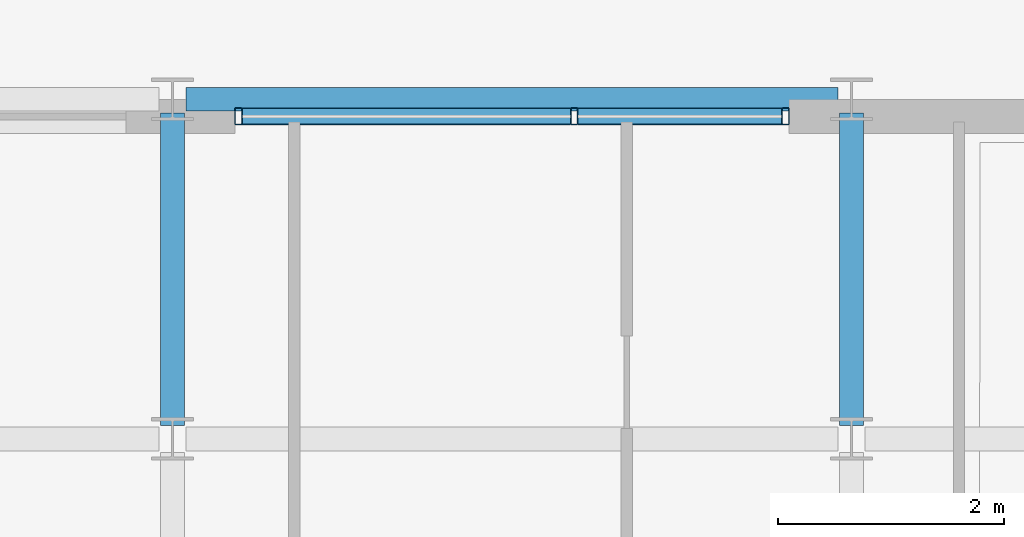
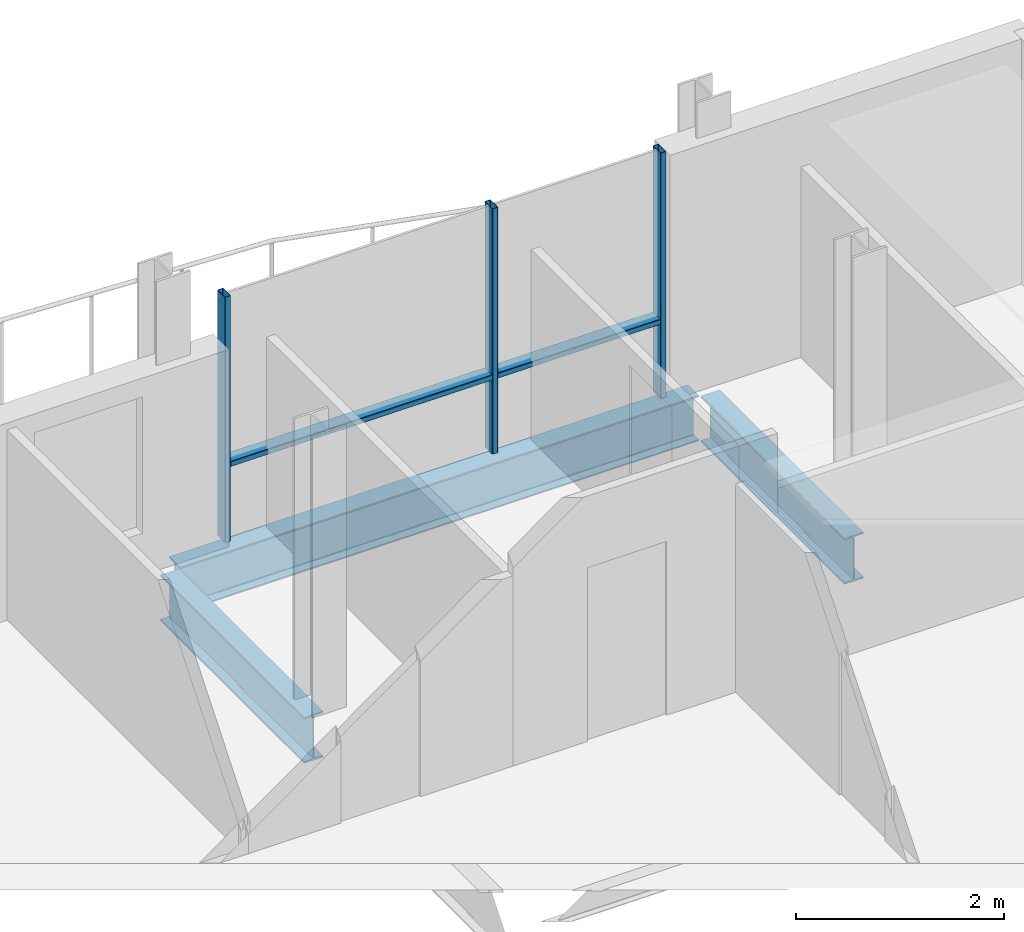
# One storey, part 14 of 30: 5 members, 3 beams, 1 element without a shape of its own.
"""IFC4 building model written with IfcOpenShell, lengths in metres."""

import ifcopenshell
import ifcopenshell.guid

model = None  # the IFC model being written
_history = None  # IfcOwnerHistory: only IFC2X3 demands one
_inside = {}  # id of a spatial element -> (the spatial element, [elements in it])
_under = {}  # id of a project, library or spatial element -> (it, [spatial elements below it])
_declared = {}  # id of a project -> (the project, [libraries it declares])
_typed = {}  # id of a type object -> (the type object, [elements of that type])
_made_of = {}  # id of a material, layer set ... -> (it, [elements and type objects made of it])


def new_model(schema):
    """Start an empty IFC model of exactly this schema.

    Asked for "IFC4X3", IfcOpenShell would pick the latest addendum, in which some entities
    have other attributes; the version numbers below select the first issue.
    IFC2X3 requires an IfcOwnerHistory on every rooted entity: one is made here for all.
    """
    global model, _history
    if schema == "IFC4X3":
        model = ifcopenshell.file(schema_version=(4, 3, 0, 0))
    else:
        model = ifcopenshell.file(schema=schema)
    _inside.clear()
    _under.clear()
    _declared.clear()
    _typed.clear()
    _made_of.clear()
    _history = None
    if model.schema == "IFC2X3":
        org = make("IfcOrganization", Name="unknown")
        user = make(
            "IfcPersonAndOrganization",
            ThePerson=make("IfcPerson", FamilyName="unknown"),
            TheOrganization=org,
        )
        app = make(
            "IfcApplication",
            ApplicationDeveloper=org,
            Version="unknown",
            ApplicationFullName="unknown",
            ApplicationIdentifier="unknown",
        )
        _history = make(
            "IfcOwnerHistory",
            OwningUser=user,
            OwningApplication=app,
            ChangeAction="ADDED",
            CreationDate=0,
        )
    return model


def make(cls, **values):
    """One entity of the class cls with the attributes given. An attribute that is None is left unset."""
    return model.create_entity(
        cls, **{name: value for name, value in values.items() if value is not None}
    )


def rooted(cls, **values):
    """An entity with a GlobalId (a new one), such as an element, a storey or a relation."""
    return make(cls, GlobalId=ifcopenshell.guid.new(), OwnerHistory=_history, **values)


def si_unit(unit_type, name, prefix=None):
    """IfcSIUnit, for example si_unit("LENGTHUNIT", "METRE", prefix="MILLI")."""
    return make("IfcSIUnit", UnitType=unit_type, Prefix=prefix, Name=name)


def assignment(units):
    """IfcUnitAssignment: the units of a project."""
    return None if units is None else make("IfcUnitAssignment", Units=units)


def point(xyz):
    """IfcCartesianPoint."""
    return None if xyz is None else make("IfcCartesianPoint", Coordinates=xyz)


def direction(xyz):
    """IfcDirection."""
    return None if xyz is None else make("IfcDirection", DirectionRatios=xyz)


def frame(location, z_axis=None, x_axis=None):
    """IfcAxis2Placement3D, a coordinate frame: its origin and axes. An axis left out is left unset."""
    return make(
        "IfcAxis2Placement3D",
        Location=point(location),
        Axis=direction(z_axis),
        RefDirection=direction(x_axis),
    )


def frame_2d(location, x_axis=None):
    """IfcAxis2Placement2D, a coordinate frame in the plane: its origin and x axis."""
    return make(
        "IfcAxis2Placement2D", Location=point(location), RefDirection=direction(x_axis)
    )


def origin():
    """The frame at (0, 0, 0) with its axes left unset."""
    return frame((0.0, 0.0, 0.0))


def origin_2d():
    """The frame at (0, 0) in the plane with its x axis left unset."""
    return frame_2d((0.0, 0.0))


def place(relative_to, where):
    """IfcLocalPlacement: puts the frame where relative to a parent placement (None: the world)."""
    return make(
        "IfcLocalPlacement", PlacementRelTo=relative_to, RelativePlacement=where
    )


def context(
    kind, dimensions, precision=None, world=None, true_north=None, identifier=None
):
    """IfcGeometricRepresentationContext, for example the 3D "Model" context."""
    return make(
        "IfcGeometricRepresentationContext",
        ContextIdentifier=identifier,
        ContextType=kind,
        CoordinateSpaceDimension=dimensions,
        Precision=precision,
        WorldCoordinateSystem=world,
        TrueNorth=true_north,
    )


def subcontext(parent, identifier, kind, view, scale=None):
    """IfcGeometricRepresentationSubContext, for example "Body" below "Model"."""
    return make(
        "IfcGeometricRepresentationSubContext",
        ContextIdentifier=identifier,
        ContextType=kind,
        ParentContext=parent,
        TargetScale=scale,
        TargetView=view,
    )


def project(units=None, contexts=None):
    """IfcProject with its units and contexts."""
    return rooted(
        "IfcProject",
        Name="project",
        RepresentationContexts=contexts,
        UnitsInContext=assignment(units),
    )


def spatial(cls, under=None, at=None, **own):
    """A site, building, storey or space (cls), placed at a placement, below another one or the project."""
    s = rooted(cls, ObjectPlacement=at, **own)
    if under is not None:
        _under.setdefault(under.id(), (under, []))[1].append(s)
    return s


def profile(cls, at=None, kind="AREA", **sizes):
    """A parametric profile (cls). Its sizes go by their IFC names, for example OverallWidth=200.0."""
    return make(cls, ProfileType=kind, Position=at, **sizes)


def hollow_rectangle(**sizes):
    """IfcRectangleHollowProfileDef."""
    return profile("IfcRectangleHollowProfileDef", **sizes)


def i_section(**sizes):
    """IfcIShapeProfileDef."""
    return profile("IfcIShapeProfileDef", **sizes)


def extrude(swept, where, along, depth):
    """IfcExtrudedAreaSolid: the profile swept, set in the frame where, extruded along a direction by depth."""
    return make(
        "IfcExtrudedAreaSolid",
        SweptArea=swept,
        Position=where,
        ExtrudedDirection=direction(along),
        Depth=depth,
    )


def shape(context_of_items, identifier, shape_type, items):
    """IfcShapeRepresentation: the items that make up one representation, for example the "Body"."""
    return make(
        "IfcShapeRepresentation",
        ContextOfItems=context_of_items,
        RepresentationIdentifier=identifier,
        RepresentationType=shape_type,
        Items=items,
    )


def material(Name=None, Category=None):
    """IfcMaterial."""
    return make("IfcMaterial", Name=Name, Category=Category)


def layer(
    of_material, thickness, ventilated=None, Name=None, Category=None, Priority=None
):
    """IfcMaterialLayer: one layer of a wall or slab, of a material (None: an air gap)."""
    return make(
        "IfcMaterialLayer",
        Material=of_material,
        LayerThickness=thickness,
        IsVentilated=ventilated,
        Name=Name,
        Category=Category,
        Priority=Priority,
    )


def layer_set(layers, Name=None):
    """IfcMaterialLayerSet."""
    return make("IfcMaterialLayerSet", MaterialLayers=layers, LayerSetName=Name)


def material_profile(
    of_material, cross_section, Name=None, Category=None, Priority=None
):
    """IfcMaterialProfile: a cross section and its material."""
    return make(
        "IfcMaterialProfile",
        Name=Name,
        Material=of_material,
        Profile=cross_section,
        Priority=Priority,
        Category=Category,
    )


def profile_set(profiles, Name=None, composite=None):
    """IfcMaterialProfileSet."""
    return make(
        "IfcMaterialProfileSet",
        Name=Name,
        MaterialProfiles=profiles,
        CompositeProfile=composite,
    )


def made_of(thing, what):
    """Note that an element or type object is made of a material, layer set ...; save() writes the relation."""
    if what is not None:
        _made_of.setdefault(what.id(), (what, []))[1].append(thing)
    return thing


def type_object(cls, material=None, **own):
    """A type object (cls), such as IfcWallType, which elements share."""
    return made_of(rooted(cls, **own), material)


def element(
    cls,
    number,
    at=None,
    inside=None,
    cuts=None,
    type_object=None,
    material=None,
    context=None,
    identifier="Body",
    shape_type=None,
    held_by="IfcProductDefinitionShape",
    body=None,
    shapes=None,
    **own,
):
    """One element of the class cls, such as IfcWall. Its Tag is "e" and its number.

    at: its placement. inside: the storey or other place that contains it. cuts: it is an
    opening in that element (IfcRelVoidsElement). A single representation is given by context,
    identifier, shape_type and body (its items); several are given by shapes. held_by: the class
    of the entity that holds the representations. save() writes the other relations.
    """
    e = rooted(cls, Tag="e%d" % number, ObjectPlacement=at, **own)
    if body is not None:
        shapes = [shape(context, identifier, shape_type, body)]
    if shapes is not None:
        e.Representation = make(held_by, Representations=shapes)
    if inside is not None:
        _inside.setdefault(inside.id(), (inside, []))[1].append(e)
    if cuts is not None:
        rooted(
            "IfcRelVoidsElement", RelatingBuildingElement=cuts, RelatedOpeningElement=e
        )
    if type_object is not None:
        _typed.setdefault(type_object.id(), (type_object, []))[1].append(e)
    return made_of(e, material)


def aggregate(whole, parts):
    """IfcRelAggregates: a whole, such as a stair, and the parts it consists of."""
    return rooted("IfcRelAggregates", RelatingObject=whole, RelatedObjects=parts)


def save(model, path):
    """Write the relations noted so far, then the file.

    IfcRelAggregates (storeys below a building ...), IfcRelContainedInSpatialStructure (elements
    in a storey), IfcRelDefinesByType, IfcRelAssociatesMaterial and IfcRelDeclares: one each for
    every whole, place, type object, material and project.
    """
    for whole, parts in _under.values():
        aggregate(whole, parts)
    for where, things in _inside.values():
        rooted(
            "IfcRelContainedInSpatialStructure",
            RelatedElements=things,
            RelatingStructure=where,
        )
    for kind, things in _typed.values():
        rooted("IfcRelDefinesByType", RelatedObjects=things, RelatingType=kind)
    for what, things in _made_of.values():
        rooted("IfcRelAssociatesMaterial", RelatedObjects=things, RelatingMaterial=what)
    for by, libraries in _declared.values():
        rooted("IfcRelDeclares", RelatingContext=by, RelatedDefinitions=libraries)
    model.write(path)


model = new_model("IFC4")

# Units and contexts
model_context = context("Model", 3, precision=1e-05, world=origin(), true_north=direction((0.0, 1.0)))
body_context = subcontext(model_context, "Body", "Model", "MODEL_VIEW")
ifc_project = project(units=[si_unit("LENGTHUNIT", "METRE"), si_unit("AREAUNIT", "SQUARE_METRE"), si_unit("VOLUMEUNIT", "CUBIC_METRE"), si_unit("PLANEANGLEUNIT", "RADIAN"), si_unit("MASSUNIT", "GRAM", prefix="KILO")], contexts=[model_context])

# Site, building, storey
site_placement = place(None, origin())
site = spatial("IfcSite", under=ifc_project, at=site_placement, CompositionType="ELEMENT")
building_placement = place(site_placement, origin())
building = spatial("IfcBuilding", under=site, at=building_placement, Name="Brevholm Reach", CompositionType="ELEMENT")
storey_placement = place(building_placement, frame((0.0, 0.0, 211.10009765625)))
storey = spatial("IfcBuildingStorey", under=building, at=storey_placement, Name="L64", CompositionType="ELEMENT", Elevation=211.10009765625)

# Beams
ifc_material_1 = material(Name="Structural Steel S355J2", Category="steel")
ifc_material_profile_1 = material_profile(ifc_material_1, i_section(OverallWidth=0.209228515625, OverallDepth=0.533203125, WebThickness=0.010009765625, FlangeThickness=0.015625, FilletRadius=0.0126953125, at=origin_2d()), Name="UKB 533x210x92")
ifc_profile_set_1 = profile_set([ifc_material_profile_1], Name="Structural Steel S355J2")
beam_type_1 = type_object("IfcBeamType", Name="BM-SP533", PredefinedType="SPANDREL", material=ifc_profile_set_1)
beam_placement = place(storey_placement, frame((48.1201171875, 26.5, -0.4765625), z_axis=(1.0, 0.0, 0.0), x_axis=(0.0, 1.0, 0.0)))
element("IfcBeam", 1, at=beam_placement, inside=storey, type_object=beam_type_1, Name="L64 SP-02 Framing Beam", PredefinedType="SPANDREL", context=body_context, shape_type="SweptSolid", body=[
    extrude(i_section(OverallWidth=0.209228515625, OverallDepth=0.533203125, WebThickness=0.010009765625, FlangeThickness=0.015625, FilletRadius=0.0126953125, at=origin_2d()), origin(), (0.0, 0.0, 1.0), 5.759765625),
])
ifc_material_2 = material(Name="Structural Steel S355J2", Category="steel")
ifc_material_profile_2 = material_profile(ifc_material_2, i_section(OverallWidth=0.210693359375, OverallDepth=0.53955078125, WebThickness=0.01171875, FlangeThickness=0.018798828125, FilletRadius=0.0126953125, at=origin_2d()), Name="UKB 533x210x109")
ifc_profile_set_2 = profile_set([ifc_material_profile_2], Name="Structural Steel S355J2")
beam_type_2 = type_object("IfcBeamType", Name="BM-SP539", PredefinedType="SPANDREL", material=ifc_profile_set_2)
for number, where, z_axis, x_axis, name in (
    (2, (48.0, 23.6201171875, -0.479736328125), (0.0, 1.0, 0.0), (-1.0, 0.0, 0.0), "L64 SP-01B Framing Beam"),
    (3, (54.0, 23.6201171875, -0.479736328125), (0.0, 1.0, 0.0), (-1.0, 0.0, 0.0), "L64 SP-01B Framing Beam"),
):
    element("IfcBeam", number, at=place(storey_placement, frame(where, z_axis=z_axis, x_axis=x_axis)), inside=storey, type_object=beam_type_2, Name=name, PredefinedType="SPANDREL", context=body_context, shape_type="SweptSolid", body=[
        extrude(i_section(OverallWidth=0.210693359375, OverallDepth=0.53955078125, WebThickness=0.01171875, FlangeThickness=0.018798828125, FilletRadius=0.0126953125, at=origin_2d()), origin(), (0.0, 0.0, 1.0), 2.759765625),
    ])

# Curtain wall, members
ifc_material_3 = material(Name="Dark Anodised Aluminium 6063-T6 and Solar-Control Glass", Category="aluminium")
ifc_layer = layer(ifc_material_3, 0.14990234375)
ifc_layer_set = layer_set([ifc_layer], Name="Dark Anodised Aluminium 6063-T6 and Solar-Control Glass")
curtain_wall_type = type_object("IfcCurtainWallType", Name="CW-01", PredefinedType="NOTDEFINED", material=ifc_layer_set)
curtain_wall_placement = place(storey_placement, origin())
curtain_wall = element("IfcCurtainWall", 4, at=curtain_wall_placement, inside=storey, type_object=curtain_wall_type, Name="L64 Curtain Wall CW-01", PredefinedType="NOTDEFINED")
ifc_material_4 = material(Name="Dark Anodised Aluminium 6063-T6", Category="aluminium")
ifc_material_profile_3 = material_profile(ifc_material_4, hollow_rectangle(XDim=0.06494140625, YDim=0.14990234375, WallThickness=0.0048828125, InnerFilletRadius=0.0048828125, OuterFilletRadius=0.010009765625, at=origin_2d()), Name="RHS 150x65x5")
ifc_profile_set_3 = profile_set([ifc_material_profile_3], Name="Dark Anodised Aluminium 6063-T6")
member_type_1 = type_object("IfcMemberType", Name="CWM-150", PredefinedType="MULLION", material=ifc_profile_set_3)
member_1_placement = place(storey_placement, frame((48.58251953125, 26.35009765625, 0.0), z_axis=(0.0, 0.0, 1.0), x_axis=(1.0, 0.0, 0.0)))
member_1 = element("IfcMember", 5, at=member_1_placement, type_object=member_type_1, Name="CM-150 Mullion 1", PredefinedType="MULLION", context=body_context, shape_type="SweptSolid", body=[
    extrude(hollow_rectangle(XDim=0.06494140625, YDim=0.14990234375, WallThickness=0.0048828125, InnerFilletRadius=0.0048828125, OuterFilletRadius=0.010009765625, at=origin_2d()), origin(), (0.0, 0.0, 1.0), 2.8798828125),
])
member_2_placement = place(storey_placement, frame((51.550048828125, 26.35009765625, 0.0), z_axis=(0.0, 0.0, 1.0), x_axis=(1.0, 0.0, 0.0)))
member_2 = element("IfcMember", 6, at=member_2_placement, type_object=member_type_1, Name="CM-150 Mullion 2", PredefinedType="MULLION", context=body_context, shape_type="SweptSolid", body=[
    extrude(hollow_rectangle(XDim=0.06494140625, YDim=0.14990234375, WallThickness=0.0048828125, InnerFilletRadius=0.0048828125, OuterFilletRadius=0.010009765625, at=origin_2d()), origin(), (0.0, 0.0, 1.0), 2.8798828125),
])
member_3_placement = place(storey_placement, frame((53.41748046875, 26.35009765625, 0.0), z_axis=(0.0, 0.0, 1.0), x_axis=(1.0, 0.0, 0.0)))
member_3 = element("IfcMember", 7, at=member_3_placement, type_object=member_type_1, Name="CM-150 Mullion 3", PredefinedType="MULLION", context=body_context, shape_type="SweptSolid", body=[
    extrude(hollow_rectangle(XDim=0.06494140625, YDim=0.14990234375, WallThickness=0.0048828125, InnerFilletRadius=0.0048828125, OuterFilletRadius=0.010009765625, at=origin_2d()), origin(), (0.0, 0.0, 1.0), 2.8798828125),
])
ifc_material_5 = material(Name="Dark Anodised Aluminium 6063-T6", Category="aluminium")
ifc_material_profile_4 = material_profile(ifc_material_5, hollow_rectangle(XDim=0.06494140625, YDim=0.14990234375, WallThickness=0.0048828125, InnerFilletRadius=0.0048828125, OuterFilletRadius=0.010009765625, at=origin_2d()), Name="RHS 150x65x5")
ifc_profile_set_4 = profile_set([ifc_material_profile_4], Name="Dark Anodised Aluminium 6063-T6")
member_type_2 = type_object("IfcMemberType", Name="CWT-150", PredefinedType="NOTDEFINED", material=ifc_profile_set_4)
member_4_placement = place(storey_placement, frame((48.614990234375, 26.35009765625, 0.89990234375), z_axis=(1.0, 0.0, 0.0), x_axis=(0.0, 0.0, 1.0)))
member_4 = element("IfcMember", 8, at=member_4_placement, type_object=member_type_2, Name="CT-150 Transom 1.1", ObjectType="TRANSOM", PredefinedType="USERDEFINED", context=body_context, shape_type="SweptSolid", body=[
    extrude(hollow_rectangle(XDim=0.06494140625, YDim=0.14990234375, WallThickness=0.0048828125, InnerFilletRadius=0.0048828125, OuterFilletRadius=0.010009765625, at=origin_2d()), origin(), (0.0, 0.0, 1.0), 2.902587890625),
])
member_5_placement = place(storey_placement, frame((51.58251953125, 26.35009765625, 0.89990234375), z_axis=(1.0, 0.0, 0.0), x_axis=(0.0, 0.0, 1.0)))
member_5 = element("IfcMember", 9, at=member_5_placement, type_object=member_type_2, Name="CT-150 Transom 2.1", ObjectType="TRANSOM", PredefinedType="USERDEFINED", context=body_context, shape_type="SweptSolid", body=[
    extrude(hollow_rectangle(XDim=0.06494140625, YDim=0.14990234375, WallThickness=0.0048828125, InnerFilletRadius=0.0048828125, OuterFilletRadius=0.010009765625, at=origin_2d()), origin(), (0.0, 0.0, 1.0), 1.802490234375),
])
aggregate(curtain_wall, [member_1, member_2, member_3, member_4, member_5])

save(model, "model.ifc")
